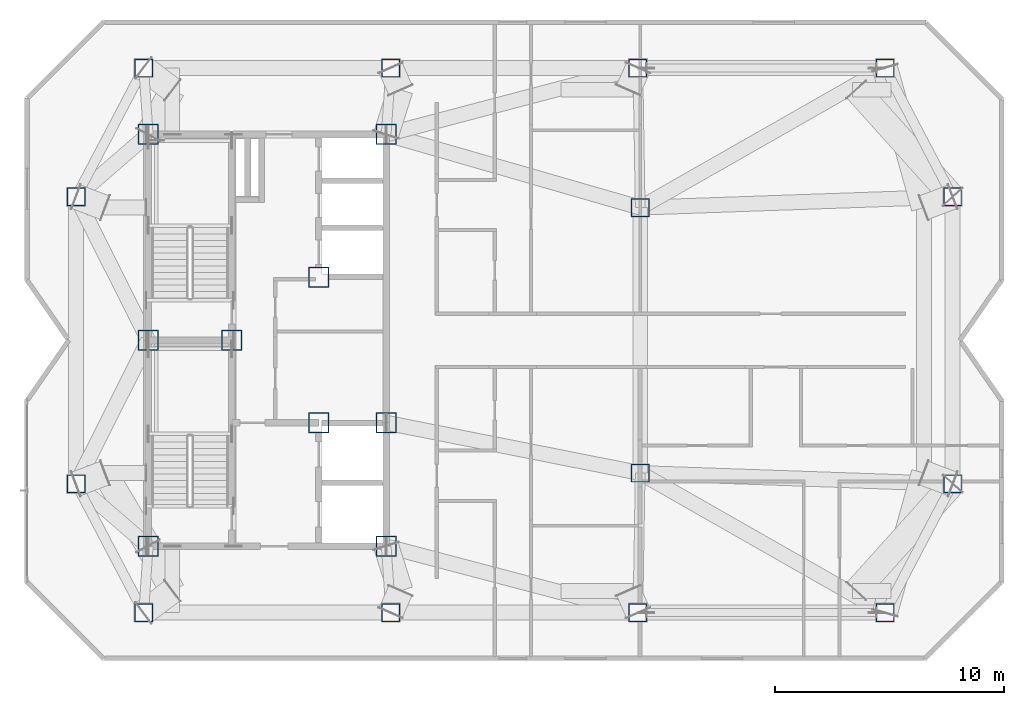
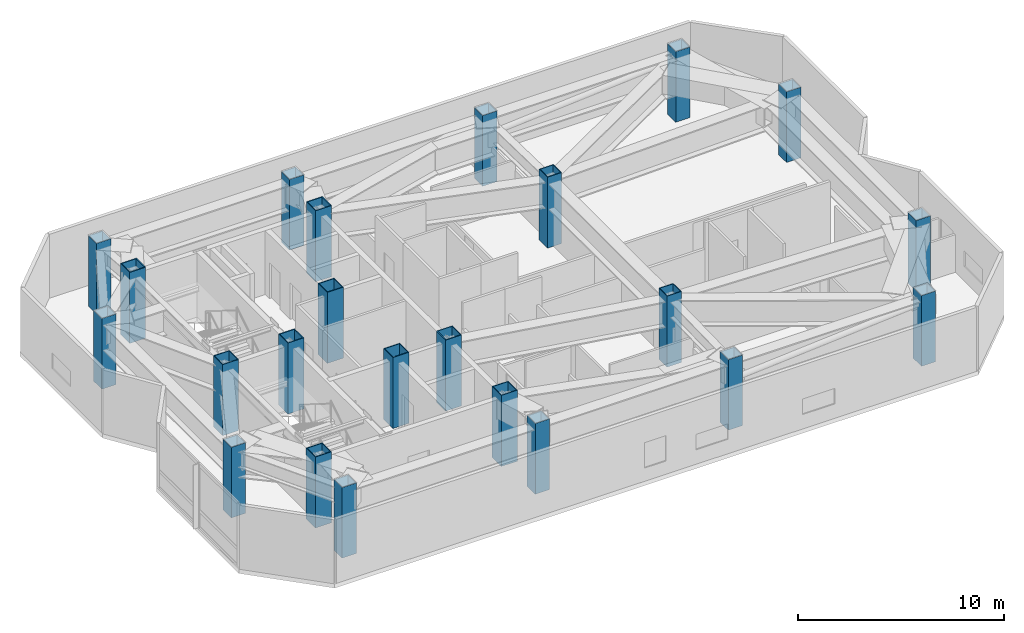
# One storey, part 1 of 9: 23 columns.
"""IFC4 building model written with IfcOpenShell, lengths in metres."""

from ifc_helpers import new_model, si_unit, direction, frame, origin, origin_2d, place, context, subcontext, project, spatial, hollow_rectangle, extrude, material, material_profile, profile_set, type_object, element, save


model = new_model("IFC4")

# Units and contexts
model_context = context("Model", 3, precision=1e-05, world=origin(), true_north=direction((0.0, 1.0)))
body_context = subcontext(model_context, "Body", "Model", "MODEL_VIEW")
ifc_project = project(units=[si_unit("LENGTHUNIT", "METRE"), si_unit("AREAUNIT", "SQUARE_METRE"), si_unit("VOLUMEUNIT", "CUBIC_METRE"), si_unit("PLANEANGLEUNIT", "RADIAN"), si_unit("MASSUNIT", "GRAM", prefix="KILO")], contexts=[model_context])

# Site, building, storey
site_placement = place(None, origin())
site = spatial("IfcSite", under=ifc_project, at=site_placement, CompositionType="ELEMENT")
building_placement = place(site_placement, origin())
building = spatial("IfcBuilding", under=site, at=building_placement, Name="Khamvora Tower", CompositionType="ELEMENT")
storey_placement = place(building_placement, frame((0.0, 0.0, 282.050048828125)))
storey = spatial("IfcBuildingStorey", under=building, at=storey_placement, Name="L72", CompositionType="ELEMENT", Elevation=282.050048828125)

# Columns
ifc_material_1 = material(Name="Steel S355", Category="steel")
ifc_material_profile_1 = material_profile(ifc_material_1, hollow_rectangle(XDim=0.800048828125, YDim=0.800048828125, WallThickness=0.0400390625, at=origin_2d()), Name="BOX800x800x40")
ifc_profile_set_1 = profile_set([ifc_material_profile_1], Name="Steel S355")
column_type_1 = type_object("IfcColumnType", Name="COL-BOX800", PredefinedType="COLUMN", material=ifc_profile_set_1)
for number, where, z_axis, x_axis, name in (
    (1, (28.800048828125, 16.10009765625, 0.0), (0.0, 0.0, 1.0), (1.0, 0.0, 0.0), "L72 structural frame column S1"),
    (2, (39.60009765625, 16.10009765625, 0.0), (0.0, 0.0, 1.0), (1.0, 0.0, 0.0), "L72 structural frame column S2"),
    (3, (50.39990234375, 16.10009765625, 0.0), (0.0, 0.0, 1.0), (1.0, 0.0, 0.0), "L72 structural frame column S3"),
    (4, (61.199951171875, 16.10009765625, 0.0), (0.0, 0.0, 1.0), (1.0, 0.0, 0.0), "L72 structural frame column S4"),
    (5, (28.800048828125, 39.89990234375, 0.0), (0.0, 0.0, 1.0), (1.0, 0.0, 0.0), "L72 structural frame column N1"),
    (6, (39.60009765625, 39.89990234375, 0.0), (0.0, 0.0, 1.0), (1.0, 0.0, 0.0), "L72 structural frame column N2"),
    (7, (50.39990234375, 39.89990234375, 0.0), (0.0, 0.0, 1.0), (1.0, 0.0, 0.0), "L72 structural frame column N3"),
    (8, (61.199951171875, 39.89990234375, 0.0), (0.0, 0.0, 1.0), (1.0, 0.0, 0.0), "L72 structural frame column N4"),
    (9, (25.85009765625, 21.72509765625, 0.0), (0.0, 0.0, 1.0), (1.0, 0.0, 0.0), "L72 structural frame column W1"),
    (10, (25.85009765625, 34.27490234375, 0.0), (0.0, 0.0, 1.0), (1.0, 0.0, 0.0), "L72 structural frame column W2"),
    (11, (64.14990234375, 21.72509765625, 0.0), (0.0, 0.0, 1.0), (1.0, 0.0, 0.0), "L72 structural frame column E1"),
    (12, (64.14990234375, 34.27490234375, 0.0), (0.0, 0.0, 1.0), (1.0, 0.0, 0.0), "L72 structural frame column E2"),
):
    element("IfcColumn", number, at=place(storey_placement, frame(where, z_axis=z_axis, x_axis=x_axis)), inside=storey, type_object=column_type_1, Name=name, PredefinedType="COLUMN", context=body_context, shape_type="SweptSolid", body=[
        extrude(hollow_rectangle(XDim=0.800048828125, YDim=0.800048828125, WallThickness=0.0400390625, at=origin_2d()), origin(), (0.0, 0.0, 1.0), 4.175048828125),
    ])
for number, where, z_axis, x_axis, name in (
    (13, (50.5, 22.199951171875, 0.0), (0.0, 0.0, 1.0), (1.0, 0.0, 0.0), "L72 structural frame column M1"),
    (14, (50.5, 33.800048828125, 0.0), (0.0, 0.0, 1.0), (1.0, 0.0, 0.0), "L72 structural frame column M2"),
):
    element("IfcColumn", number, at=place(storey_placement, frame(where, z_axis=z_axis, x_axis=x_axis)), inside=storey, type_object=column_type_1, Name=name, PredefinedType="COLUMN", context=body_context, shape_type="SweptSolid", body=[
        extrude(hollow_rectangle(XDim=0.800048828125, YDim=0.800048828125, WallThickness=0.0400390625, at=origin_2d()), origin(), (0.0, 0.0, 1.0), 4.199951171875),
    ])
ifc_material_2 = material(Name="Structural Steel S460ML", Category="steel")
ifc_material_profile_2 = material_profile(ifc_material_2, hollow_rectangle(XDim=0.89990234375, YDim=0.89990234375, WallThickness=0.044921875, at=origin_2d()), Name="BOX900x900x45")
ifc_profile_set_2 = profile_set([ifc_material_profile_2], Name="Structural Steel S460ML")
column_type_2 = type_object("IfcColumnType", Name="COL-SC-BOX900", PredefinedType="COLUMN", material=ifc_profile_set_2)
for number, where, z_axis, x_axis, name in (
    (15, (29.0, 19.0, 0.0), (0.0, 0.0, 1.0), (1.0, 0.0, 0.0), "L72 plumb core spine column SC1"),
    (16, (32.64990234375, 28.0, 0.0), (0.0, 0.0, 1.0), (1.0, 0.0, 0.0), "L72 plumb core spine column SC2"),
    (17, (39.39990234375, 19.0, 0.0), (0.0, 0.0, 1.0), (1.0, 0.0, 0.0), "L72 plumb core spine column SC3"),
    (18, (29.0, 28.0, 0.0), (0.0, 0.0, 1.0), (1.0, 0.0, 0.0), "L72 plumb core spine column SC4"),
    (19, (36.449951171875, 24.39990234375, 0.0), (0.0, 0.0, 1.0), (1.0, 0.0, 0.0), "L72 plumb core spine column SC5"),
    (20, (39.39990234375, 24.39990234375, 0.0), (0.0, 0.0, 1.0), (1.0, 0.0, 0.0), "L72 plumb core spine column SC6"),
    (21, (29.0, 37.0, 0.0), (0.0, 0.0, 1.0), (1.0, 0.0, 0.0), "L72 plumb core spine column SC7"),
    (22, (36.449951171875, 30.75, 0.0), (0.0, 0.0, 1.0), (1.0, 0.0, 0.0), "L72 plumb core spine column SC8"),
    (23, (39.39990234375, 37.0, 0.0), (0.0, 0.0, 1.0), (1.0, 0.0, 0.0), "L72 plumb core spine column SC9"),
):
    element("IfcColumn", number, at=place(storey_placement, frame(where, z_axis=z_axis, x_axis=x_axis)), inside=storey, type_object=column_type_2, Name=name, PredefinedType="COLUMN", context=body_context, shape_type="SweptSolid", body=[
        extrude(hollow_rectangle(XDim=0.89990234375, YDim=0.89990234375, WallThickness=0.044921875, at=origin_2d()), origin(), (0.0, 0.0, 1.0), 4.199951171875),
    ])

save(model, "model.ifc")
